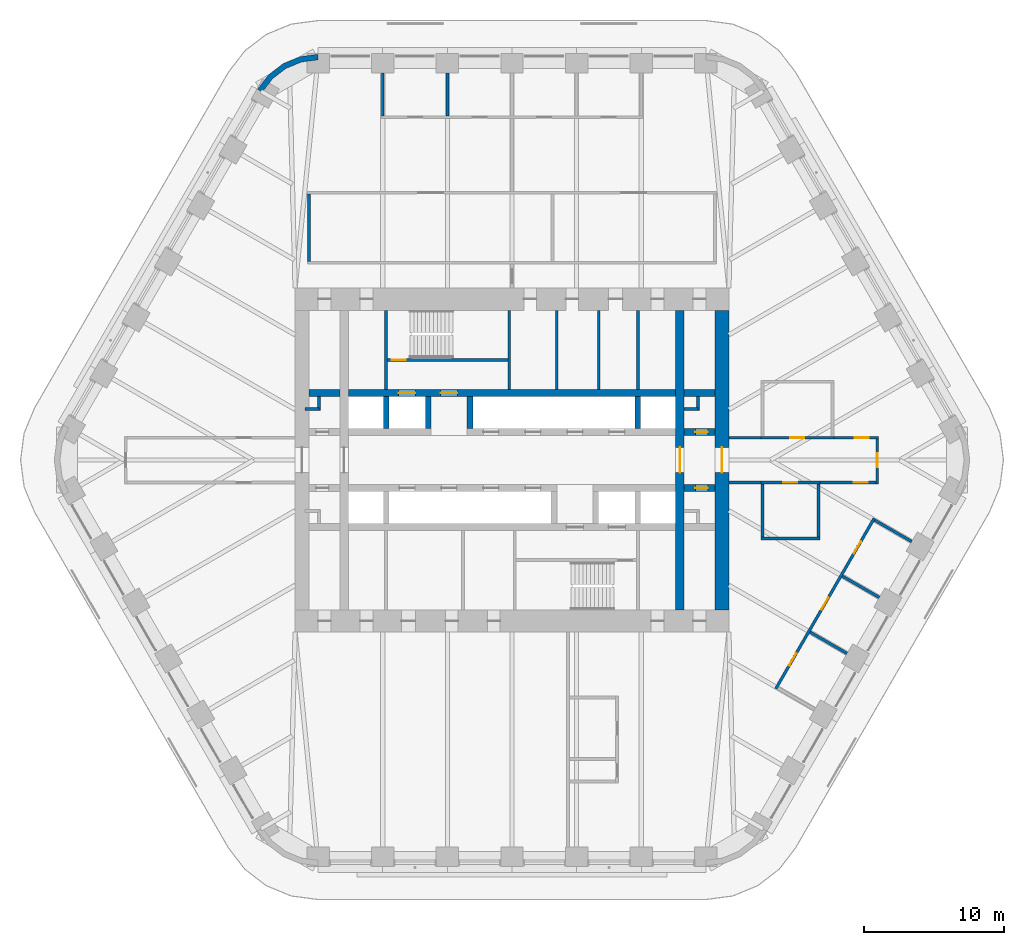
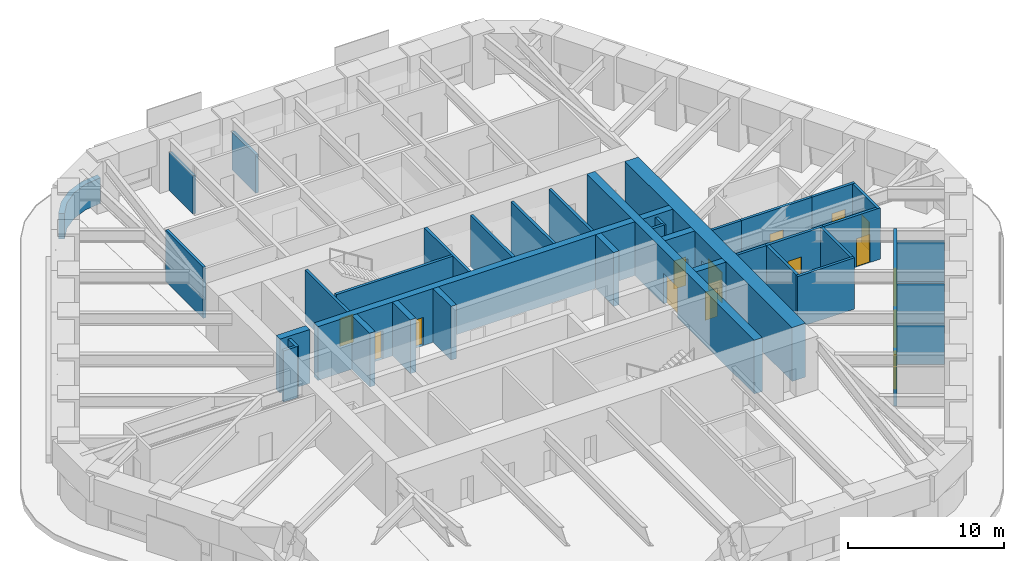
# One storey, part 16 of 20: 39 walls, 15 doors, 15 openings.
"""IFC4 building model written with IfcOpenShell, lengths in metres."""

from ifc_helpers import new_model, si_unit, direction, frame, frame_2d, origin, place, context, subcontext, project, spatial, polyline, rectangle, outline, extrude, material, layer, layer_set, type_object, element, fill, save


model = new_model("IFC4")

# Units and contexts
model_context = context("Model", 3, precision=1e-05, world=origin(), true_north=direction((0.0, 1.0)))
body_context = subcontext(model_context, "Body", "Model", "MODEL_VIEW")
ifc_project = project(units=[si_unit("LENGTHUNIT", "METRE"), si_unit("AREAUNIT", "SQUARE_METRE"), si_unit("VOLUMEUNIT", "CUBIC_METRE"), si_unit("PLANEANGLEUNIT", "RADIAN"), si_unit("MASSUNIT", "GRAM", prefix="KILO")], contexts=[model_context])

# Site, building, storey
site_placement = place(None, origin())
site = spatial("IfcSite", under=ifc_project, at=site_placement, CompositionType="ELEMENT")
building_placement = place(site_placement, origin())
building = spatial("IfcBuilding", under=site, at=building_placement, Name="Tarfa Lantern Tower", CompositionType="ELEMENT")
storey_placement = place(building_placement, frame((0.0, 0.0, 223.89990234375)))
storey = spatial("IfcBuildingStorey", under=building, at=storey_placement, Name="L50", CompositionType="ELEMENT", Elevation=223.89990234375)

# Walls
ifc_material_1 = material(Name="Limestone cladding on blockwork", Category="masonry")
ifc_layer_1 = layer(ifc_material_1, 0.39990234375)
ifc_layer_set_1 = layer_set([ifc_layer_1], Name="EW2 CURVED STONE CORNER 400")
wall_type_1 = type_object("IfcWallType", Name="EW2 CURVED STONE CORNER 400", PredefinedType="SOLIDWALL", material=ifc_layer_set_1)
wall_1_placement = place(storey_placement, origin())
element("IfcWall", 1, at=wall_1_placement, inside=storey, type_object=wall_type_1, Name="Stone corner N-NW", PredefinedType="SOLIDWALL", context=body_context, shape_type="SweptSolid", body=[
    extrude(outline(polyline([(-13.8564453125, 29.0), (-15.150390625, 28.82958984375), (-16.3564453125, 28.330078125), (-17.391845703125, 27.53564453125), (-18.1865234375, 26.5), (-17.840087890625, 26.300048828125), (-17.109130859375, 27.252685546875), (-16.156494140625, 27.983642578125), (-15.046875, 28.443359375), (-13.8564453125, 28.60009765625), (-13.8564453125, 29.0)])), origin(), (0.0, 0.0, 1.0), 2.0),
])
ifc_material_2 = material(Name="Concrete blockwork", Category="masonry")
ifc_layer_2 = layer(ifc_material_2, 0.199951171875)
ifc_layer_set_2 = layer_set([ifc_layer_2], Name="IW1 BLOCKWORK PARTITION 200 EI 120")
wall_type_2 = type_object("IfcWallType", Name="IW1 BLOCKWORK PARTITION 200 EI 120", PredefinedType="PARTITIONING", material=ifc_layer_set_2)
for number, where, z_axis, x_axis, name in (
    (2, (-9.0, 5.050048828125, 0.0), (0.0, 0.0, 1.0), (0.0, 1.0, 0.0), "Core partition"),
    (3, (9.0, 5.050048828125, 0.0), (0.0, 0.0, 1.0), (0.0, 1.0, 0.0), "Core partition"),
    (4, (3.199951171875, 5.050048828125, 0.0), (0.0, 0.0, 1.0), (0.0, 1.0, 0.0), "Core partition"),
    (5, (6.199951171875, 5.050048828125, 0.0), (0.0, 0.0, 1.0), (0.0, 1.0, 0.0), "Core partition"),
):
    element("IfcWall", number, at=place(storey_placement, frame(where, z_axis=z_axis, x_axis=x_axis)), inside=storey, type_object=wall_type_2, Name=name, PredefinedType="PARTITIONING", context=body_context, shape_type="SweptSolid", body=[
        extrude(rectangle(XDim=5.64990234375, YDim=0.199951171875, at=frame_2d((2.824951171875, 0.0))), origin(), (0.0, 0.0, 1.0), 4.0),
    ])
for number, where, z_axis, x_axis, name in (
    (6, (-14.800048828125, 3.64990234375, 0.0), (0.0, 0.0, 1.0), (1.0, 0.0, 0.0), "Core partition"),
    (7, (-13.800048828125, 3.550048828125, 0.0), (0.0, 0.0, 1.0), (0.0, 1.0, 0.0), "Core partition"),
    (8, (12.300048828125, 3.64990234375, 0.0), (0.0, 0.0, 1.0), (1.0, 0.0, 0.0), "Core partition"),
    (9, (13.300048828125, 3.550048828125, 0.0), (0.0, 0.0, 1.0), (0.0, 1.0, 0.0), "Core partition"),
):
    element("IfcWall", number, at=place(storey_placement, frame(where, z_axis=z_axis, x_axis=x_axis)), inside=storey, type_object=wall_type_2, Name=name, PredefinedType="PARTITIONING", context=body_context, shape_type="SweptSolid", body=[
        extrude(rectangle(XDim=1.0, YDim=0.199951171875, at=frame_2d((0.5, 0.0))), origin(), (0.0, 0.0, 1.0), 4.0),
    ])
ifc_material_3 = material(Name="Gypsum board on steel studs", Category="steel")
ifc_layer_3 = layer(ifc_material_3, 0.2099609375)
ifc_layer_set_3 = layer_set([ifc_layer_3], Name="IW2 ACOUSTIC PARTITION 200")
wall_type_3 = type_object("IfcWallType", Name="IW2 ACOUSTIC PARTITION 200", PredefinedType="PARTITIONING", material=ifc_layer_set_3)
wall_2_placement = place(storey_placement, frame((-14.5, 14.199951171875, 0.0), z_axis=(0.0, 0.0, 1.0), x_axis=(0.0, 1.0, 0.0)))
element("IfcWall", 10, at=wall_2_placement, inside=storey, type_object=wall_type_3, Name="Partition", PredefinedType="PARTITIONING", context=body_context, shape_type="SweptSolid", body=[
    extrude(rectangle(XDim=4.800048828125, YDim=0.199951171875, at=frame_2d((2.39990234375, 0.0))), origin(), (0.0, 0.0, 1.0), 4.0),
])
for number, where, z_axis, x_axis, name in (
    (11, (-4.618896484375, 24.60009765625, 0.0), (0.0, 0.0, 1.0), (0.0, 1.0, 0.0), "Partition"),
    (12, (-9.237548828125, 24.60009765625, 0.0), (0.0, 0.0, 1.0), (0.0, 1.0, 0.0), "Partition"),
):
    element("IfcWall", number, at=place(storey_placement, frame(where, z_axis=z_axis, x_axis=x_axis)), inside=storey, type_object=wall_type_3, Name=name, PredefinedType="PARTITIONING", context=body_context, shape_type="SweptSolid", body=[
        extrude(rectangle(XDim=3.0498046875, YDim=0.199951171875, at=frame_2d((1.52490234375, 0.0))), origin(), (0.0, 0.0, 1.0), 2.991943359375),
    ])

# Wall, openings, doors
wall_3_placement = place(storey_placement, frame((18.858154296875, -16.336669921875, 0.0), z_axis=(0.0, 0.0, 1.0), x_axis=(0.500002095642, 0.866024193862, 0.0)))
wall_3 = element("IfcWall", 13, at=wall_3_placement, inside=storey, type_object=wall_type_3, Name="Partition", PredefinedType="PARTITIONING", context=body_context, shape_type="SweptSolid", body=[
    extrude(rectangle(XDim=14.056640625, YDim=0.199951171875, at=frame_2d((7.0283203125, 0.0))), origin(), (0.0, 0.0, 1.0), 4.0),
])
opening_1_placement = place(wall_3_placement, frame((1.909423828125, 0.0, 0.0)))
opening_1 = element("IfcOpeningElement", 14, at=opening_1_placement, cuts=wall_3, Name="Opening D33", PredefinedType="OPENING", context=body_context, shape_type="SweptSolid", body=[
    extrude(rectangle(XDim=1.0, YDim=2.199951171875, at=frame_2d((0.5, 1.10009765625))), frame((0.0, 0.10986328125, 0.0), z_axis=(0.0, -1.0, 0.0), x_axis=(1.0, 0.0, 0.0)), (0.0, 0.0, 1.0), 0.219970703125),
])
opening_2_placement = place(wall_3_placement, frame((6.5283203125, 0.0, 0.0)))
opening_2 = element("IfcOpeningElement", 15, at=opening_2_placement, cuts=wall_3, Name="Opening D34", PredefinedType="OPENING", context=body_context, shape_type="SweptSolid", body=[
    extrude(rectangle(XDim=1.0, YDim=2.199951171875, at=frame_2d((0.5, 1.10009765625))), frame((0.0, 0.10986328125, 0.0), z_axis=(0.0, -1.0, 0.0), x_axis=(1.0, 0.0, 0.0)), (0.0, 0.0, 1.0), 0.219970703125),
])
opening_3_placement = place(wall_3_placement, frame((11.14697265625, 0.0, 0.0)))
opening_3 = element("IfcOpeningElement", 16, at=opening_3_placement, cuts=wall_3, Name="Opening D35", PredefinedType="OPENING", context=body_context, shape_type="SweptSolid", body=[
    extrude(rectangle(XDim=1.0, YDim=2.199951171875, at=frame_2d((0.5, 1.10009765625))), frame((0.0, 0.10986328125, 0.0), z_axis=(0.0, -1.0, 0.0), x_axis=(1.0, 0.0, 0.0)), (0.0, 0.0, 1.0), 0.219970703125),
])
ifc_material_4 = material(Name="Timber door", Category="wood")
door_type_1 = type_object("IfcDoorType", Name="DR1 ROOM DOOR 1000x2200", OperationType="SINGLE_SWING_LEFT", PredefinedType="DOOR", material=ifc_material_4)
door_1_placement = place(opening_1_placement, frame((1.0, 0.0, 0.0), z_axis=(0.0, 0.0, 1.0), x_axis=(-1.0, 0.0, 0.0)))
door_1 = element("IfcDoor", 17, at=door_1_placement, inside=storey, type_object=door_type_1, Name="Office door", OperationType="SINGLE_SWING_LEFT", OverallHeight=2.199951171875, OverallWidth=1.0, PredefinedType="DOOR", context=body_context, shape_type="SweptSolid", body=[
    extrude(rectangle(XDim=1.0, YDim=2.199951171875, at=frame_2d((0.5, 1.10009765625))), frame((0.0, 0.02490234375, 0.0), z_axis=(0.0, -1.0, 0.0), x_axis=(1.0, 0.0, 0.0)), (0.0, 0.0, 1.0), 0.050048828125),
])
fill(opening_1, door_1)
door_2_placement = place(opening_2_placement, frame((1.0, 0.0, 0.0), z_axis=(0.0, 0.0, 1.0), x_axis=(-1.0, 0.0, 0.0)))
door_2 = element("IfcDoor", 18, at=door_2_placement, inside=storey, type_object=door_type_1, Name="Office door", OperationType="SINGLE_SWING_RIGHT", OverallHeight=2.199951171875, OverallWidth=1.0, PredefinedType="DOOR", context=body_context, shape_type="SweptSolid", body=[
    extrude(rectangle(XDim=1.0, YDim=2.199951171875, at=frame_2d((0.5, 1.10009765625))), frame((0.0, 0.02490234375, 0.0), z_axis=(0.0, -1.0, 0.0), x_axis=(1.0, 0.0, 0.0)), (0.0, 0.0, 1.0), 0.050048828125),
])
fill(opening_2, door_2)
door_3_placement = place(opening_3_placement, frame((1.0, 0.0, 0.0), z_axis=(0.0, 0.0, 1.0), x_axis=(-1.0, 0.0, 0.0)))
door_3 = element("IfcDoor", 19, at=door_3_placement, inside=storey, type_object=door_type_1, Name="Office door", OperationType="SINGLE_SWING_RIGHT", OverallHeight=2.199951171875, OverallWidth=1.0, PredefinedType="DOOR", context=body_context, shape_type="SweptSolid", body=[
    extrude(rectangle(XDim=1.0, YDim=2.199951171875, at=frame_2d((0.5, 1.10009765625))), frame((0.0, 0.02490234375, 0.0), z_axis=(0.0, -1.0, 0.0), x_axis=(1.0, 0.0, 0.0)), (0.0, 0.0, 1.0), 0.050048828125),
])
fill(opening_3, door_3)

# Walls
for number, where, z_axis, x_axis, name in (
    (20, (21.30419921875, -12.300048828125, 0.0), (0.0, 0.0, 1.0), (0.866037623948, -0.499978833458, 0.0), "Partition"),
    (21, (23.613525390625, -8.300048828125, 0.0), (0.0, 0.0, 1.0), (0.866037623948, -0.499978833458, 0.0), "Partition"),
    (22, (25.923095703125, -4.300048828125, 0.0), (0.0, 0.0, 1.0), (0.866037623948, -0.499978833458, 0.0), "Partition"),
):
    element("IfcWall", number, at=place(storey_placement, frame(where, z_axis=z_axis, x_axis=x_axis)), inside=storey, type_object=wall_type_3, Name=name, PredefinedType="PARTITIONING", context=body_context, shape_type="SweptSolid", body=[
        extrude(rectangle(XDim=3.050048828125, YDim=0.199951171875, at=frame_2d((1.52490234375, 0.0))), origin(), (0.0, 0.0, 1.0), 3.081787109375),
    ])

# Wall, opening, door
wall_4_placement = place(storey_placement, frame((17.800048828125, 1.60009765625, 0.0), z_axis=(0.0, 0.0, 1.0), x_axis=(1.0, 0.0, 0.0)))
wall_4 = element("IfcWall", 23, at=wall_4_placement, inside=storey, type_object=wall_type_3, Name="Partition", PredefinedType="PARTITIONING", context=body_context, shape_type="SweptSolid", body=[
    extrude(rectangle(XDim=5.199951171875, YDim=0.199951171875, at=frame_2d((2.60009765625, 0.0))), origin(), (0.0, 0.0, 1.0), 4.0),
])
opening_4_placement = place(wall_4_placement, frame((2.10009765625, 0.0, 0.0)))
opening_4 = element("IfcOpeningElement", 24, at=opening_4_placement, cuts=wall_4, Name="Opening D27", PredefinedType="OPENING", context=body_context, shape_type="SweptSolid", body=[
    extrude(rectangle(XDim=1.0, YDim=2.199951171875, at=frame_2d((0.5, 1.10009765625))), frame((0.0, 0.10986328125, 0.0), z_axis=(0.0, -1.0, 0.0), x_axis=(1.0, 0.0, 0.0)), (0.0, 0.0, 1.0), 0.219970703125),
])
door_4_placement = place(opening_4_placement, origin())
door_4 = element("IfcDoor", 25, at=door_4_placement, inside=storey, type_object=door_type_1, Name="Project room door", OperationType="SINGLE_SWING_LEFT", OverallHeight=2.199951171875, OverallWidth=1.0, PredefinedType="DOOR", context=body_context, shape_type="SweptSolid", body=[
    extrude(rectangle(XDim=1.0, YDim=2.199951171875, at=frame_2d((0.5, 1.10009765625))), frame((0.0, 0.02490234375, 0.0), z_axis=(0.0, -1.0, 0.0), x_axis=(1.0, 0.0, 0.0)), (0.0, 0.0, 1.0), 0.050048828125),
])
fill(opening_4, door_4)

wall_5_placement = place(storey_placement, frame((17.800048828125, -1.60009765625, 0.0), z_axis=(0.0, 0.0, 1.0), x_axis=(1.0, 0.0, 0.0)))
wall_5 = element("IfcWall", 26, at=wall_5_placement, inside=storey, type_object=wall_type_3, Name="Partition", PredefinedType="PARTITIONING", context=body_context, shape_type="SweptSolid", body=[
    extrude(rectangle(XDim=4.199951171875, YDim=0.199951171875, at=frame_2d((2.10009765625, 0.0))), origin(), (0.0, 0.0, 1.0), 4.0),
])
opening_5_placement = place(wall_5_placement, frame((1.60009765625, 0.0, 0.0)))
opening_5 = element("IfcOpeningElement", 27, at=opening_5_placement, cuts=wall_5, Name="Opening D28", PredefinedType="OPENING", context=body_context, shape_type="SweptSolid", body=[
    extrude(rectangle(XDim=1.0, YDim=2.199951171875, at=frame_2d((0.5, 1.10009765625))), frame((0.0, 0.10986328125, 0.0), z_axis=(0.0, -1.0, 0.0), x_axis=(1.0, 0.0, 0.0)), (0.0, 0.0, 1.0), 0.219970703125),
])
door_5_placement = place(opening_5_placement, frame((1.0, 0.0, 0.0), z_axis=(0.0, 0.0, 1.0), x_axis=(-1.0, 0.0, 0.0)))
door_5 = element("IfcDoor", 28, at=door_5_placement, inside=storey, type_object=door_type_1, Name="Pantry door", OperationType="SINGLE_SWING_RIGHT", OverallHeight=2.199951171875, OverallWidth=1.0, PredefinedType="DOOR", context=body_context, shape_type="SweptSolid", body=[
    extrude(rectangle(XDim=1.0, YDim=2.199951171875, at=frame_2d((0.5, 1.10009765625))), frame((0.0, 0.02490234375, 0.0), z_axis=(0.0, -1.0, 0.0), x_axis=(1.0, 0.0, 0.0)), (0.0, 0.0, 1.0), 0.050048828125),
])
fill(opening_5, door_5)

# Walls
wall_6_placement = place(storey_placement, frame((17.800048828125, -5.60009765625, 0.0), z_axis=(0.0, 0.0, 1.0), x_axis=(1.0, 0.0, 0.0)))
element("IfcWall", 29, at=wall_6_placement, inside=storey, type_object=wall_type_3, Name="Partition", PredefinedType="PARTITIONING", context=body_context, shape_type="SweptSolid", body=[
    extrude(rectangle(XDim=4.199951171875, YDim=0.199951171875, at=frame_2d((2.10009765625, 0.0))), origin(), (0.0, 0.0, 1.0), 4.0),
])
for number, where, z_axis, x_axis, name in (
    (30, (17.89990234375, -1.699951171875, 0.0), (0.0, 0.0, 1.0), (0.0, -1.0, 0.0), "Partition"),
    (31, (21.89990234375, -1.699951171875, 0.0), (0.0, 0.0, 1.0), (0.0, -1.0, 0.0), "Partition"),
):
    element("IfcWall", number, at=place(storey_placement, frame(where, z_axis=z_axis, x_axis=x_axis)), inside=storey, type_object=wall_type_3, Name=name, PredefinedType="PARTITIONING", context=body_context, shape_type="SweptSolid", body=[
        extrude(rectangle(XDim=3.800048828125, YDim=0.199951171875, at=frame_2d((1.89990234375, 0.0))), origin(), (0.0, 0.0, 1.0), 4.0),
    ])
wall_7_placement = place(storey_placement, frame((15.5, 1.60009765625, 0.0), z_axis=(0.0, 0.0, 1.0), x_axis=(1.0, 0.0, 0.0)))
element("IfcWall", 32, at=wall_7_placement, inside=storey, type_object=wall_type_3, Name="Partition", PredefinedType="PARTITIONING", context=body_context, shape_type="SweptSolid", body=[
    extrude(rectangle(XDim=2.300048828125, YDim=0.199951171875, at=frame_2d((1.14990234375, 0.0))), origin(), (0.0, 0.0, 1.0), 4.0),
])

# Wall, opening, door
wall_8_placement = place(storey_placement, frame((23.0, 1.60009765625, 0.0), z_axis=(0.0, 0.0, 1.0), x_axis=(1.0, 0.0, 0.0)))
wall_8 = element("IfcWall", 33, at=wall_8_placement, inside=storey, type_object=wall_type_3, Name="Partition", PredefinedType="PARTITIONING", context=body_context, shape_type="SweptSolid", body=[
    extrude(rectangle(XDim=3.199951171875, YDim=0.199951171875, at=frame_2d((1.60009765625, 0.0))), origin(), (0.0, 0.0, 1.0), 4.0),
])
opening_6_placement = place(wall_8_placement, frame((1.5, 0.0, 0.0)))
opening_6 = element("IfcOpeningElement", 34, at=opening_6_placement, cuts=wall_8, Name="Opening D41", PredefinedType="OPENING", context=body_context, shape_type="SweptSolid", body=[
    extrude(rectangle(XDim=1.0, YDim=2.199951171875, at=frame_2d((0.5, 1.10009765625))), frame((0.0, 0.10986328125, 0.0), z_axis=(0.0, -1.0, 0.0), x_axis=(1.0, 0.0, 0.0)), (0.0, 0.0, 1.0), 0.219970703125),
])
door_6_placement = place(opening_6_placement, origin())
door_6 = element("IfcDoor", 35, at=door_6_placement, inside=storey, type_object=door_type_1, Name="Corridor door", OperationType="SINGLE_SWING_RIGHT", OverallHeight=2.199951171875, OverallWidth=1.0, PredefinedType="DOOR", context=body_context, shape_type="SweptSolid", body=[
    extrude(rectangle(XDim=1.0, YDim=2.199951171875, at=frame_2d((0.5, 1.10009765625))), frame((0.0, 0.02490234375, 0.0), z_axis=(0.0, -1.0, 0.0), x_axis=(1.0, 0.0, 0.0)), (0.0, 0.0, 1.0), 0.050048828125),
])
fill(opening_6, door_6)

# Wall
wall_9_placement = place(storey_placement, frame((15.5, -1.60009765625, 0.0), z_axis=(0.0, 0.0, 1.0), x_axis=(1.0, 0.0, 0.0)))
element("IfcWall", 36, at=wall_9_placement, inside=storey, type_object=wall_type_3, Name="Partition", PredefinedType="PARTITIONING", context=body_context, shape_type="SweptSolid", body=[
    extrude(rectangle(XDim=2.300048828125, YDim=0.199951171875, at=frame_2d((1.14990234375, 0.0))), origin(), (0.0, 0.0, 1.0), 4.0),
])

# Wall, opening, door
wall_10_placement = place(storey_placement, frame((22.0, -1.60009765625, 0.0), z_axis=(0.0, 0.0, 1.0), x_axis=(1.0, 0.0, 0.0)))
wall_10 = element("IfcWall", 37, at=wall_10_placement, inside=storey, type_object=wall_type_3, Name="Partition", PredefinedType="PARTITIONING", context=body_context, shape_type="SweptSolid", body=[
    extrude(rectangle(XDim=4.199951171875, YDim=0.199951171875, at=frame_2d((2.10009765625, 0.0))), origin(), (0.0, 0.0, 1.0), 4.0),
])
opening_7_placement = place(wall_10_placement, frame((2.43994140625, 0.0, 0.0)))
opening_7 = element("IfcOpeningElement", 38, at=opening_7_placement, cuts=wall_10, Name="Opening D42", PredefinedType="OPENING", context=body_context, shape_type="SweptSolid", body=[
    extrude(rectangle(XDim=1.0, YDim=2.199951171875, at=frame_2d((0.5, 1.10009765625))), frame((0.0, 0.10986328125, 0.0), z_axis=(0.0, -1.0, 0.0), x_axis=(1.0, 0.0, 0.0)), (0.0, 0.0, 1.0), 0.219970703125),
])
door_7_placement = place(opening_7_placement, frame((1.0, 0.0, 0.0), z_axis=(0.0, 0.0, 1.0), x_axis=(-1.0, 0.0, 0.0)))
door_7 = element("IfcDoor", 39, at=door_7_placement, inside=storey, type_object=door_type_1, Name="Corridor door", OperationType="SINGLE_SWING_LEFT", OverallHeight=2.199951171875, OverallWidth=1.0, PredefinedType="DOOR", context=body_context, shape_type="SweptSolid", body=[
    extrude(rectangle(XDim=1.0, YDim=2.199951171875, at=frame_2d((0.5, 1.10009765625))), frame((0.0, 0.02490234375, 0.0), z_axis=(0.0, -1.0, 0.0), x_axis=(1.0, 0.0, 0.0)), (0.0, 0.0, 1.0), 0.050048828125),
])
fill(opening_7, door_7)

wall_11_placement = place(storey_placement, frame((26.10009765625, -1.699951171875, 0.0), z_axis=(0.0, 0.0, 1.0), x_axis=(0.0, 1.0, 0.0)))
wall_11 = element("IfcWall", 40, at=wall_11_placement, inside=storey, type_object=wall_type_3, Name="Partition", PredefinedType="PARTITIONING", context=body_context, shape_type="SweptSolid", body=[
    extrude(rectangle(XDim=3.39990234375, YDim=0.199951171875, at=frame_2d((1.699951171875, 0.0))), origin(), (0.0, 0.0, 1.0), 4.0),
])
opening_8_placement = place(wall_11_placement, frame((1.199951171875, 0.0, 0.0)))
opening_8 = element("IfcOpeningElement", 41, at=opening_8_placement, cuts=wall_11, Name="Opening D40", PredefinedType="OPENING", context=body_context, shape_type="SweptSolid", body=[
    extrude(rectangle(XDim=1.0, YDim=2.199951171875, at=frame_2d((0.5, 1.10009765625))), frame((0.0, 0.10986328125, 0.0), z_axis=(0.0, -1.0, 0.0), x_axis=(1.0, 0.0, 0.0)), (0.0, 0.0, 1.0), 0.219970703125),
])
door_8_placement = place(opening_8_placement, frame((1.0, 0.0, 0.0), z_axis=(0.0, 0.0, 1.0), x_axis=(-1.0, 0.0, 0.0)))
door_8 = element("IfcDoor", 42, at=door_8_placement, inside=storey, type_object=door_type_1, Name="Corridor door", OperationType="SINGLE_SWING_LEFT", OverallHeight=2.199951171875, OverallWidth=1.0, PredefinedType="DOOR", context=body_context, shape_type="SweptSolid", body=[
    extrude(rectangle(XDim=1.0, YDim=2.199951171875, at=frame_2d((0.5, 1.10009765625))), frame((0.0, 0.02490234375, 0.0), z_axis=(0.0, -1.0, 0.0), x_axis=(1.0, 0.0, 0.0)), (0.0, 0.0, 1.0), 0.050048828125),
])
fill(opening_8, door_8)

# Wall
ifc_material_5 = material(Name="Concrete C80/95", Category="concrete")
ifc_layer_4 = layer(ifc_material_5, 0.199951171875)
ifc_layer_set_4 = layer_set([ifc_layer_4], Name="SW12 CORE WALL 200")
wall_type_4 = type_object("IfcWallType", Name="SW12 CORE WALL 200", PredefinedType="SHEAR", material=ifc_layer_set_4)
wall_12_placement = place(storey_placement, frame((-0.199951171875, 5.050048828125, 0.0), z_axis=(0.0, 0.0, 1.0), x_axis=(0.0, 1.0, 0.0)))
element("IfcWall", 43, at=wall_12_placement, inside=storey, type_object=wall_type_4, Name="Core wall stair shaft N", PredefinedType="SHEAR", context=body_context, shape_type="SweptSolid", body=[
    extrude(rectangle(XDim=5.64990234375, YDim=0.199951171875, at=frame_2d((2.824951171875, 0.0))), origin(), (0.0, 0.0, 1.0), 4.2001953125),
])

# Wall, opening, door
wall_13_placement = place(storey_placement, frame((-8.89990234375, 7.14990234375, 0.0), z_axis=(0.0, 0.0, 1.0), x_axis=(1.0, 0.0, 0.0)))
wall_13 = element("IfcWall", 44, at=wall_13_placement, inside=storey, type_object=wall_type_4, Name="Core wall stair partition N", PredefinedType="SHEAR", context=body_context, shape_type="SweptSolid", body=[
    extrude(rectangle(XDim=8.599853515625, YDim=0.199951171875, at=frame_2d((4.2998046875, 0.0))), origin(), (0.0, 0.0, 1.0), 4.2001953125),
])
opening_9_placement = place(wall_13_placement, frame((0.300048828125, 0.0, 0.0)))
opening_9 = element("IfcOpeningElement", 45, at=opening_9_placement, cuts=wall_13, Name="Opening D23", PredefinedType="OPENING", context=body_context, shape_type="SweptSolid", body=[
    extrude(rectangle(XDim=1.0, YDim=2.199951171875, at=frame_2d((0.5, 1.10009765625))), frame((0.0, 0.10986328125, 0.0), z_axis=(0.0, -1.0, 0.0), x_axis=(1.0, 0.0, 0.0)), (0.0, 0.0, 1.0), 0.219970703125),
])
ifc_material_6 = material(Name="Steel fire door", Category="steel")
door_type_2 = type_object("IfcDoorType", Name="DF2 STAIR DOOR 1000x2200", OperationType="SINGLE_SWING_LEFT", PredefinedType="DOOR", material=ifc_material_6)
door_9_placement = place(opening_9_placement, origin())
door_9 = element("IfcDoor", 46, at=door_9_placement, inside=storey, type_object=door_type_2, Name="Stair door", OperationType="SINGLE_SWING_RIGHT", OverallHeight=2.199951171875, OverallWidth=1.0, PredefinedType="DOOR", context=body_context, shape_type="SweptSolid", body=[
    extrude(rectangle(XDim=1.0, YDim=2.199951171875, at=frame_2d((0.5, 1.10009765625))), frame((0.0, 0.02490234375, 0.0), z_axis=(0.0, -1.0, 0.0), x_axis=(1.0, 0.0, 0.0)), (0.0, 0.0, 1.0), 0.050048828125),
])
fill(opening_9, door_9)

ifc_layer_5 = layer(ifc_material_5, 1.0)
ifc_layer_set_5 = layer_set([ifc_layer_5], Name="SW2 CORE WALL 1000")
wall_type_5 = type_object("IfcWallType", Name="SW2 CORE WALL 1000", PredefinedType="SHEAR", material=ifc_layer_set_5)
wall_14_placement = place(storey_placement, frame((15.0, -10.699951171875, 0.0), z_axis=(0.0, 0.0, 1.0), x_axis=(0.0, 1.0, 0.0)))
wall_14 = element("IfcWall", 47, at=wall_14_placement, inside=storey, type_object=wall_type_5, Name="Core wall E", PredefinedType="SHEAR", context=body_context, shape_type="SweptSolid", body=[
    extrude(rectangle(XDim=21.39990234375, YDim=1.0, at=frame_2d((10.699951171875, 0.0))), origin(), (0.0, 0.0, 1.0), 4.2001953125),
])
opening_10_placement = place(wall_14_placement, frame((9.800048828125, 0.0, 0.0)))
opening_10 = element("IfcOpeningElement", 48, at=opening_10_placement, cuts=wall_14, Name="Opening D11", PredefinedType="OPENING", context=body_context, shape_type="SweptSolid", body=[
    extrude(rectangle(XDim=1.800048828125, YDim=2.39990234375, at=frame_2d((0.89990234375, 1.199951171875))), frame((0.0, 0.510009765625, 0.0), z_axis=(0.0, -1.0, 0.0), x_axis=(1.0, 0.0, 0.0)), (0.0, 0.0, 1.0), 1.02001953125),
])
door_type_3 = type_object("IfcDoorType", Name="DL1 LOBBY DOOR 1800x2400", OperationType="DOUBLE_DOOR_SINGLE_SWING", PredefinedType="DOOR", material=ifc_material_6)
door_10_placement = place(opening_10_placement, frame((1.800048828125, 0.0, 0.0), z_axis=(0.0, 0.0, 1.0), x_axis=(-1.0, 0.0, 0.0)))
door_10 = element("IfcDoor", 49, at=door_10_placement, inside=storey, type_object=door_type_3, Name="Lift lobby door", OperationType="DOUBLE_DOOR_SINGLE_SWING", OverallHeight=2.39990234375, OverallWidth=1.800048828125, PredefinedType="DOOR", context=body_context, shape_type="SweptSolid", body=[
    extrude(rectangle(XDim=1.800048828125, YDim=2.39990234375, at=frame_2d((0.89990234375, 1.199951171875))), frame((0.0, 0.02490234375, 0.0), z_axis=(0.0, -1.0, 0.0), x_axis=(1.0, 0.0, 0.0)), (0.0, 0.0, 1.0), 0.050048828125),
])
fill(opening_10, door_10)

ifc_layer_6 = layer(ifc_material_5, 0.5)
ifc_layer_set_6 = layer_set([ifc_layer_6], Name="SW5 CORE WALL 500")
wall_type_6 = type_object("IfcWallType", Name="SW5 CORE WALL 500", PredefinedType="SHEAR", material=ifc_layer_set_6)
wall_15_placement = place(storey_placement, frame((12.300048828125, 2.0, 0.0), z_axis=(0.0, 0.0, 1.0), x_axis=(1.0, 0.0, 0.0)))
wall_15 = element("IfcWall", 50, at=wall_15_placement, inside=storey, type_object=wall_type_6, Name="Core wall lobby east N", PredefinedType="SHEAR", context=body_context, shape_type="SweptSolid", body=[
    extrude(rectangle(XDim=2.199951171875, YDim=0.5, at=frame_2d((1.10009765625, 0.0))), origin(), (0.0, 0.0, 1.0), 4.2001953125),
])
opening_11_placement = place(wall_15_placement, frame((0.800048828125, 0.0, 0.0)))
opening_11 = element("IfcOpeningElement", 51, at=opening_11_placement, cuts=wall_15, Name="Opening D13", PredefinedType="OPENING", context=body_context, shape_type="SweptSolid", body=[
    extrude(rectangle(XDim=0.89990234375, YDim=2.199951171875, at=frame_2d((0.449951171875, 1.10009765625))), frame((0.0, 0.260009765625, 0.0), z_axis=(0.0, -1.0, 0.0), x_axis=(1.0, 0.0, 0.0)), (0.0, 0.0, 1.0), 0.52001953125),
])
door_type_4 = type_object("IfcDoorType", Name="DF6 SERVICE ROOM DOOR 900x2200", OperationType="SINGLE_SWING_LEFT", PredefinedType="DOOR", material=ifc_material_6)
door_11_placement = place(opening_11_placement, origin())
door_11 = element("IfcDoor", 52, at=door_11_placement, inside=storey, type_object=door_type_4, Name="Service room door", OperationType="SINGLE_SWING_LEFT", OverallHeight=2.199951171875, OverallWidth=0.89990234375, PredefinedType="DOOR", context=body_context, shape_type="SweptSolid", body=[
    extrude(rectangle(XDim=0.89990234375, YDim=2.199951171875, at=frame_2d((0.449951171875, 1.10009765625))), frame((0.0, 0.02490234375, 0.0), z_axis=(0.0, -1.0, 0.0), x_axis=(1.0, 0.0, 0.0)), (0.0, 0.0, 1.0), 0.050048828125),
])
fill(opening_11, door_11)

# Wall
wall_16_placement = place(storey_placement, frame((-14.5, 4.800048828125, 0.0), z_axis=(0.0, 0.0, 1.0), x_axis=(1.0, 0.0, 0.0)))
element("IfcWall", 53, at=wall_16_placement, inside=storey, type_object=wall_type_6, Name="Core wall rear N", PredefinedType="SHEAR", context=body_context, shape_type="SweptSolid", body=[
    extrude(rectangle(XDim=2.199951171875, YDim=0.5, at=frame_2d((1.10009765625, 0.0))), origin(), (0.0, 0.0, 1.0), 4.2001953125),
])

# Wall, openings, doors
wall_17_placement = place(storey_placement, frame((-11.699951171875, 4.800048828125, 0.0), z_axis=(0.0, 0.0, 1.0), x_axis=(1.0, 0.0, 0.0)))
wall_17 = element("IfcWall", 54, at=wall_17_placement, inside=storey, type_object=wall_type_6, Name="Core wall rear N", PredefinedType="SHEAR", context=body_context, shape_type="SweptSolid", body=[
    extrude(rectangle(XDim=23.39990234375, YDim=0.5, at=frame_2d((11.699951171875, 0.0))), origin(), (0.0, 0.0, 1.0), 4.2001953125),
])
opening_12_placement = place(wall_17_placement, frame((6.60009765625, 0.0, 0.0)))
opening_12 = element("IfcOpeningElement", 55, at=opening_12_placement, cuts=wall_17, Name="Opening D09", PredefinedType="OPENING", context=body_context, shape_type="SweptSolid", body=[
    extrude(rectangle(XDim=1.199951171875, YDim=2.199951171875, at=frame_2d((0.60009765625, 1.10009765625))), frame((0.0, 0.260009765625, 0.0), z_axis=(0.0, -1.0, 0.0), x_axis=(1.0, 0.0, 0.0)), (0.0, 0.0, 1.0), 0.52001953125),
])
opening_13_placement = place(wall_17_placement, frame((3.60009765625, 0.0, 0.0)))
opening_13 = element("IfcOpeningElement", 56, at=opening_13_placement, cuts=wall_17, Name="Opening LD01", PredefinedType="OPENING", context=body_context, shape_type="SweptSolid", body=[
    extrude(rectangle(XDim=1.199951171875, YDim=2.199951171875, at=frame_2d((0.60009765625, 1.10009765625))), frame((0.0, 0.260009765625, 0.0), z_axis=(0.0, -1.0, 0.0), x_axis=(1.0, 0.0, 0.0)), (0.0, 0.0, 1.0), 0.52001953125),
])
door_type_5 = type_object("IfcDoorType", Name="DF1 FIREFIGHTING LOBBY DOOR 1200x2200", OperationType="SINGLE_SWING_LEFT", PredefinedType="DOOR", material=ifc_material_6)
door_12_placement = place(opening_12_placement, origin())
door_12 = element("IfcDoor", 57, at=door_12_placement, inside=storey, type_object=door_type_5, Name="Firefighting lobby door", OperationType="SINGLE_SWING_LEFT", OverallHeight=2.199951171875, OverallWidth=1.199951171875, PredefinedType="DOOR", context=body_context, shape_type="SweptSolid", body=[
    extrude(rectangle(XDim=1.199951171875, YDim=2.199951171875, at=frame_2d((0.60009765625, 1.10009765625))), frame((0.0, 0.02490234375, 0.0), z_axis=(0.0, -1.0, 0.0), x_axis=(1.0, 0.0, 0.0)), (0.0, 0.0, 1.0), 0.050048828125),
])
fill(opening_12, door_12)
ifc_material_7 = material(Name="Stainless steel lift door", Category="steel")
door_type_6 = type_object("IfcDoorType", Name="LD1 LIFT LANDING DOOR 1200x2200", OperationType="SLIDING_TO_LEFT", PredefinedType="DOOR", material=ifc_material_7)
door_13_placement = place(opening_13_placement, origin())
door_13 = element("IfcDoor", 58, at=door_13_placement, inside=storey, type_object=door_type_6, Name="Landing door FL1", OperationType="SLIDING_TO_LEFT", OverallHeight=2.199951171875, OverallWidth=1.199951171875, PredefinedType="DOOR", context=body_context, shape_type="SweptSolid", body=[
    extrude(rectangle(XDim=1.199951171875, YDim=2.199951171875, at=frame_2d((0.60009765625, 1.10009765625))), frame((0.0, 0.02490234375, 0.0), z_axis=(0.0, -1.0, 0.0), x_axis=(1.0, 0.0, 0.0)), (0.0, 0.0, 1.0), 0.050048828125),
])
fill(opening_13, door_13)

# Wall
wall_18_placement = place(storey_placement, frame((12.300048828125, 4.800048828125, 0.0), z_axis=(0.0, 0.0, 1.0), x_axis=(1.0, 0.0, 0.0)))
element("IfcWall", 59, at=wall_18_placement, inside=storey, type_object=wall_type_6, Name="Core wall rear N", PredefinedType="SHEAR", context=body_context, shape_type="SweptSolid", body=[
    extrude(rectangle(XDim=2.199951171875, YDim=0.5, at=frame_2d((1.10009765625, 0.0))), origin(), (0.0, 0.0, 1.0), 4.2001953125),
])

# Wall, opening, door
wall_19_placement = place(storey_placement, frame((14.5, -2.0, 0.0), z_axis=(0.0, 0.0, 1.0), x_axis=(-1.0, 0.0, 0.0)))
wall_19 = element("IfcWall", 60, at=wall_19_placement, inside=storey, type_object=wall_type_6, Name="Core wall lobby west S", PredefinedType="SHEAR", context=body_context, shape_type="SweptSolid", body=[
    extrude(rectangle(XDim=2.199951171875, YDim=0.5, at=frame_2d((1.10009765625, 0.0))), origin(), (0.0, 0.0, 1.0), 4.2001953125),
])
opening_14_placement = place(wall_19_placement, frame((0.5, 0.0, 0.0)))
opening_14 = element("IfcOpeningElement", 61, at=opening_14_placement, cuts=wall_19, Name="Opening D16", PredefinedType="OPENING", context=body_context, shape_type="SweptSolid", body=[
    extrude(rectangle(XDim=0.89990234375, YDim=2.199951171875, at=frame_2d((0.449951171875, 1.10009765625))), frame((0.0, 0.260009765625, 0.0), z_axis=(0.0, -1.0, 0.0), x_axis=(1.0, 0.0, 0.0)), (0.0, 0.0, 1.0), 0.52001953125),
])
door_14_placement = place(opening_14_placement, origin())
door_14 = element("IfcDoor", 62, at=door_14_placement, inside=storey, type_object=door_type_4, Name="Service room door", OperationType="SINGLE_SWING_RIGHT", OverallHeight=2.199951171875, OverallWidth=0.89990234375, PredefinedType="DOOR", context=body_context, shape_type="SweptSolid", body=[
    extrude(rectangle(XDim=0.89990234375, YDim=2.199951171875, at=frame_2d((0.449951171875, 1.10009765625))), frame((0.0, 0.02490234375, 0.0), z_axis=(0.0, -1.0, 0.0), x_axis=(1.0, 0.0, 0.0)), (0.0, 0.0, 1.0), 0.050048828125),
])
fill(opening_14, door_14)

# Walls
ifc_layer_7 = layer(ifc_material_5, 0.39990234375)
ifc_layer_set_7 = layer_set([ifc_layer_7], Name="SW6 CORE WALL 400")
wall_type_7 = type_object("IfcWallType", Name="SW6 CORE WALL 400", PredefinedType="SHEAR", material=ifc_layer_set_7)
for number, where, z_axis, x_axis, name in (
    (63, (-9.0, 2.25, 0.0), (0.0, 0.0, 1.0), (0.0, 1.0, 0.0), "Core wall divider N"),
    (64, (-6.0, 2.25, 0.0), (0.0, 0.0, 1.0), (0.0, 1.0, 0.0), "Core wall divider N"),
    (65, (-3.0, 2.25, 0.0), (0.0, 0.0, 1.0), (0.0, 1.0, 0.0), "Core wall divider N"),
    (66, (9.0, 2.25, 0.0), (0.0, 0.0, 1.0), (0.0, 1.0, 0.0), "Core wall divider N"),
):
    element("IfcWall", number, at=place(storey_placement, frame(where, z_axis=z_axis, x_axis=x_axis)), inside=storey, type_object=wall_type_7, Name=name, PredefinedType="SHEAR", context=body_context, shape_type="SweptSolid", body=[
        extrude(rectangle(XDim=2.300048828125, YDim=0.39990234375, at=frame_2d((1.14990234375, 0.0))), origin(), (0.0, 0.0, 1.0), 4.2001953125),
    ])

# Wall, opening, door
ifc_layer_8 = layer(ifc_material_5, 0.60009765625)
ifc_layer_set_8 = layer_set([ifc_layer_8], Name="SW9 CORE WALL 600")
wall_type_8 = type_object("IfcWallType", Name="SW9 CORE WALL 600", PredefinedType="SHEAR", material=ifc_layer_set_8)
wall_20_placement = place(storey_placement, frame((12.0, -10.699951171875, 0.0), z_axis=(0.0, 0.0, 1.0), x_axis=(0.0, 1.0, 0.0)))
wall_20 = element("IfcWall", 67, at=wall_20_placement, inside=storey, type_object=wall_type_8, Name="Core wall cross 12 m east", PredefinedType="SHEAR", context=body_context, shape_type="SweptSolid", body=[
    extrude(rectangle(XDim=21.39990234375, YDim=0.60009765625, at=frame_2d((10.699951171875, 0.0))), origin(), (0.0, 0.0, 1.0), 4.2001953125),
])
opening_15_placement = place(wall_20_placement, frame((9.800048828125, 0.0, 0.0)))
opening_15 = element("IfcOpeningElement", 68, at=opening_15_placement, cuts=wall_20, Name="Opening D25", PredefinedType="OPENING", context=body_context, shape_type="SweptSolid", body=[
    extrude(rectangle(XDim=1.800048828125, YDim=2.39990234375, at=frame_2d((0.89990234375, 1.199951171875))), frame((0.0, 0.31005859375, 0.0), z_axis=(0.0, -1.0, 0.0), x_axis=(1.0, 0.0, 0.0)), (0.0, 0.0, 1.0), 0.6201171875),
])
door_15_placement = place(opening_15_placement, origin())
door_15 = element("IfcDoor", 69, at=door_15_placement, inside=storey, type_object=door_type_3, Name="Lift lobby door", OperationType="DOUBLE_DOOR_SINGLE_SWING", OverallHeight=2.39990234375, OverallWidth=1.800048828125, PredefinedType="DOOR", context=body_context, shape_type="SweptSolid", body=[
    extrude(rectangle(XDim=1.800048828125, YDim=2.39990234375, at=frame_2d((0.89990234375, 1.199951171875))), frame((0.0, 0.02490234375, 0.0), z_axis=(0.0, -1.0, 0.0), x_axis=(1.0, 0.0, 0.0)), (0.0, 0.0, 1.0), 0.050048828125),
])
fill(opening_15, door_15)

save(model, "model.ifc")
